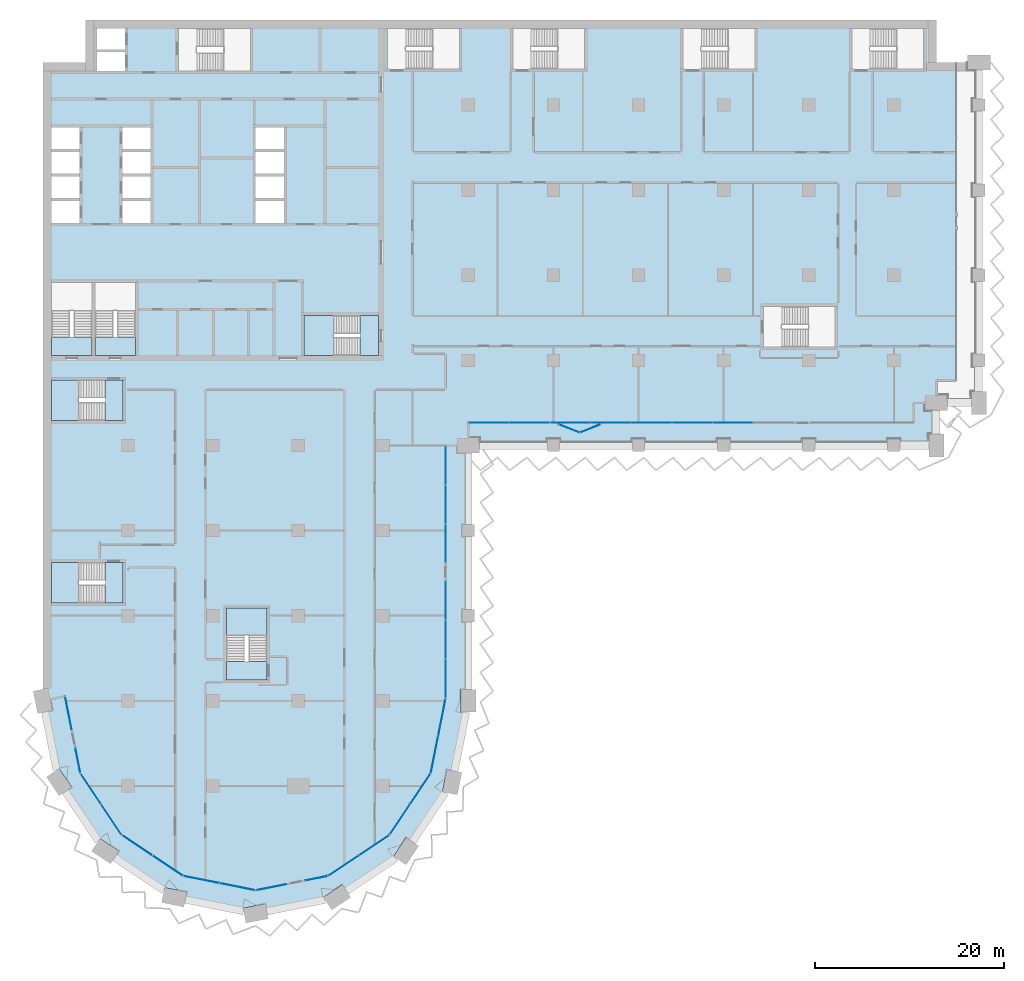
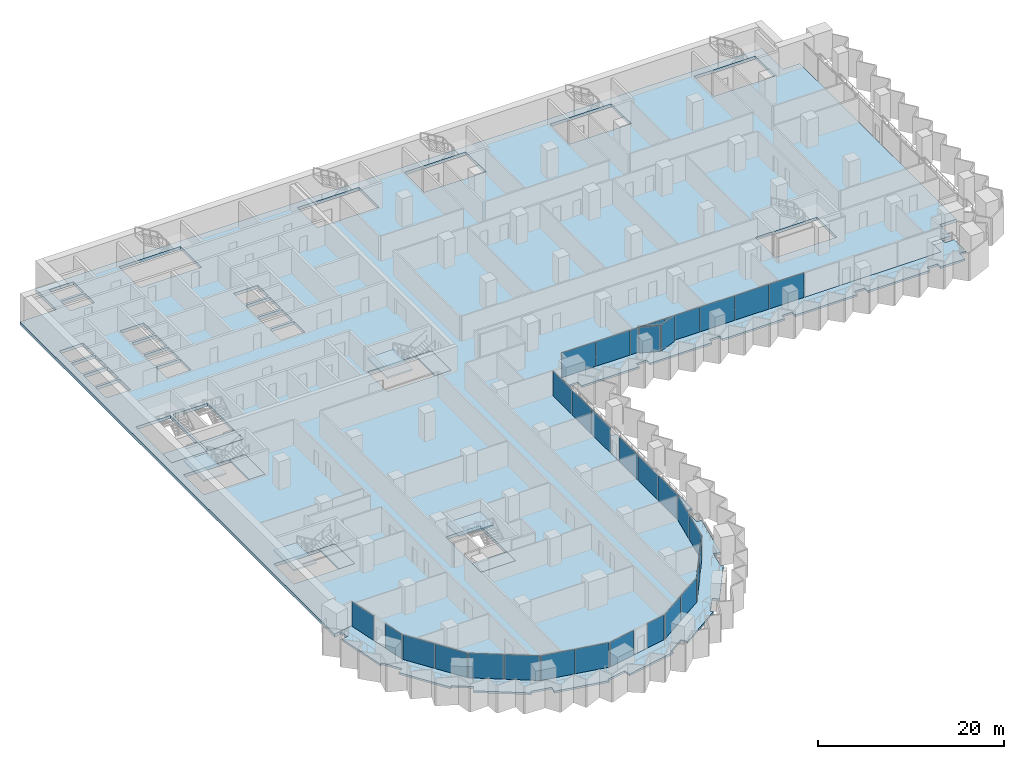
# One storey, part 8 of 28: 31 plates, 13 slabs, 19 elements without a shape of their own.
"""IFC4 building model written with IfcOpenShell, lengths in metres."""

from ifc_helpers import new_model, si_unit, direction, frame, origin, origin_2d, place, context, subcontext, project, spatial, polyline, rectangle, outline, extrude, material, layer, layer_set, type_object, element, aggregate, save


model = new_model("IFC4")

# Units and contexts
model_context = context("Model", 3, precision=1e-05, world=origin(), true_north=direction((0.0, 1.0)))
body_context = subcontext(model_context, "Body", "Model", "MODEL_VIEW")
ifc_project = project(units=[si_unit("LENGTHUNIT", "METRE"), si_unit("AREAUNIT", "SQUARE_METRE"), si_unit("VOLUMEUNIT", "CUBIC_METRE"), si_unit("PLANEANGLEUNIT", "RADIAN"), si_unit("MASSUNIT", "GRAM", prefix="KILO")], contexts=[model_context])

# Site, building, storey
site_placement = place(None, origin())
site = spatial("IfcSite", under=ifc_project, at=site_placement, CompositionType="ELEMENT")
building_placement = place(site_placement, origin())
building = spatial("IfcBuilding", under=site, at=building_placement, Name="Hunhe Ridgeline Campus", CompositionType="ELEMENT")
storey_placement = place(building_placement, frame((0.0, 0.0, 43.199951171875)))
storey = spatial("IfcBuildingStorey", under=building, at=storey_placement, Name="L09", CompositionType="ELEMENT", Elevation=43.199951171875)

# Curtain wall, plate
ifc_material_1 = material(Name="Aluminium 6063", Category="aluminium")
curtain_wall_type_1 = type_object("IfcCurtainWallType", Name="Curtain wall CW-5", PredefinedType="NOTDEFINED", material=ifc_material_1)
curtain_wall_1_placement = place(storey_placement, origin())
curtain_wall_1 = element("IfcCurtainWall", 1, at=curtain_wall_1_placement, inside=storey, type_object=curtain_wall_type_1, Name="Curtain wall 01", PredefinedType="NOTDEFINED")
ifc_material_2 = material(Name="Low-e laminated glass", Category="glass")
ifc_layer_1 = layer(ifc_material_2, 0.028076171875)
ifc_layer_set_1 = layer_set([ifc_layer_1], Name="Curtain wall glass panel 28 low-e laminated")
plate_type = type_object("IfcPlateType", Name="Curtain wall glass panel 28 low-e laminated", PredefinedType="CURTAIN_PANEL", material=ifc_layer_set_1)
plate_1_placement = place(storey_placement, frame((2.7158203125, 25.65380859375, 0.0), z_axis=(0.0, 0.0, 1.0), x_axis=(0.195095326561, -0.980784284924, 0.0)))
plate_1 = element("IfcPlate", 2, at=plate_1_placement, type_object=plate_type, Name="CW-5 panel 1", PredefinedType="CURTAIN_PANEL", context=body_context, shape_type="SweptSolid", body=[
    extrude(rectangle(XDim=3.560791015625, YDim=0.028076171875, at=origin_2d()), origin(), (0.0, 0.0, 1.0), 3.22998046875),
])
aggregate(curtain_wall_1, [plate_1])

curtain_wall_2_placement = place(storey_placement, origin())
curtain_wall_2 = element("IfcCurtainWall", 3, at=curtain_wall_2_placement, inside=storey, type_object=curtain_wall_type_1, Name="Curtain wall 02", PredefinedType="NOTDEFINED")
plate_2_placement = place(storey_placement, frame((3.701171875, 20.699951171875, 0.0), z_axis=(0.0, 0.0, 1.0), x_axis=(0.195095265587, -0.980784297053, 0.0)))
plate_2 = element("IfcPlate", 4, at=plate_2_placement, type_object=plate_type, Name="CW-5 panel 1", PredefinedType="CURTAIN_PANEL", context=body_context, shape_type="SweptSolid", body=[
    extrude(rectangle(XDim=2.660888671875, YDim=0.028076171875, at=origin_2d()), origin(), (0.0, 0.0, 1.0), 3.22998046875),
])
aggregate(curtain_wall_2, [plate_2])

# Curtain wall, plates
curtain_wall_3_placement = place(storey_placement, origin())
curtain_wall_3 = element("IfcCurtainWall", 5, at=curtain_wall_3_placement, inside=storey, type_object=curtain_wall_type_1, Name="Curtain wall 03", PredefinedType="NOTDEFINED")
plate_3_placement = place(storey_placement, frame((5.07080078125, 17.685546875, 0.0), z_axis=(0.0, 0.0, 1.0), x_axis=(0.555570274596, -0.831469584522, 0.0)))
plate_3 = element("IfcPlate", 6, at=plate_3_placement, type_object=plate_type, Name="CW-5 panel 1", PredefinedType="CURTAIN_PANEL", context=body_context, shape_type="SweptSolid", body=[
    extrude(rectangle(XDim=3.806884765625, YDim=0.028076171875, at=origin_2d()), origin(), (0.0, 0.0, 1.0), 3.22998046875),
])
plate_4_placement = place(storey_placement, frame((7.224609375, 14.4619140625, 0.0), z_axis=(0.0, 0.0, 1.0), x_axis=(0.555570274596, -0.831469584522, 0.0)))
plate_4 = element("IfcPlate", 7, at=plate_4_placement, type_object=plate_type, Name="CW-5 panel 2", PredefinedType="CURTAIN_PANEL", context=body_context, shape_type="SweptSolid", body=[
    extrude(rectangle(XDim=3.806884765625, YDim=0.028076171875, at=origin_2d()), origin(), (0.0, 0.0, 1.0), 3.22998046875),
])
aggregate(curtain_wall_3, [plate_3, plate_4])

curtain_wall_4_placement = place(storey_placement, origin())
curtain_wall_4 = element("IfcCurtainWall", 8, at=curtain_wall_4_placement, inside=storey, type_object=curtain_wall_type_1, Name="Curtain wall 04", PredefinedType="NOTDEFINED")
plate_5_placement = place(storey_placement, frame((9.9619140625, 11.724609375, 0.0), z_axis=(0.0, 0.0, 1.0), x_axis=(0.831469584522, -0.555570274596, 0.0)))
plate_5 = element("IfcPlate", 9, at=plate_5_placement, type_object=plate_type, Name="CW-5 panel 1", PredefinedType="CURTAIN_PANEL", context=body_context, shape_type="SweptSolid", body=[
    extrude(rectangle(XDim=3.806884765625, YDim=0.028076171875, at=origin_2d()), origin(), (0.0, 0.0, 1.0), 3.22998046875),
])
plate_6_placement = place(storey_placement, frame((13.185546875, 9.57080078125, 0.0), z_axis=(0.0, 0.0, 1.0), x_axis=(0.831469584522, -0.555570274596, 0.0)))
plate_6 = element("IfcPlate", 10, at=plate_6_placement, type_object=plate_type, Name="CW-5 panel 2", PredefinedType="CURTAIN_PANEL", context=body_context, shape_type="SweptSolid", body=[
    extrude(rectangle(XDim=3.806884765625, YDim=0.028076171875, at=origin_2d()), origin(), (0.0, 0.0, 1.0), 3.22998046875),
])
aggregate(curtain_wall_4, [plate_5, plate_6])

curtain_wall_5_placement = place(storey_placement, origin())
curtain_wall_5 = element("IfcCurtainWall", 11, at=curtain_wall_5_placement, inside=storey, type_object=curtain_wall_type_1, Name="Curtain wall 05", PredefinedType="NOTDEFINED")
plate_7_placement = place(storey_placement, frame((16.761962890625, 8.08935546875, 0.0), z_axis=(0.0, 0.0, 1.0), x_axis=(0.980785275326, -0.195090347539, 0.0)))
plate_7 = element("IfcPlate", 12, at=plate_7_placement, type_object=plate_type, Name="CW-5 panel 1", PredefinedType="CURTAIN_PANEL", context=body_context, shape_type="SweptSolid", body=[
    extrude(rectangle(XDim=3.806884765625, YDim=0.028076171875, at=origin_2d()), origin(), (0.0, 0.0, 1.0), 3.22998046875),
])
plate_8_placement = place(storey_placement, frame((20.564453125, 7.3330078125, 0.0), z_axis=(0.0, 0.0, 1.0), x_axis=(0.980785275326, -0.195090347539, 0.0)))
plate_8 = element("IfcPlate", 13, at=plate_8_placement, type_object=plate_type, Name="CW-5 panel 2", PredefinedType="CURTAIN_PANEL", context=body_context, shape_type="SweptSolid", body=[
    extrude(rectangle(XDim=3.806884765625, YDim=0.028076171875, at=origin_2d()), origin(), (0.0, 0.0, 1.0), 3.22998046875),
])
aggregate(curtain_wall_5, [plate_7, plate_8])

# Curtain wall, plate
curtain_wall_6_placement = place(storey_placement, origin())
curtain_wall_6 = element("IfcCurtainWall", 14, at=curtain_wall_6_placement, inside=storey, type_object=curtain_wall_type_1, Name="Curtain wall 06", PredefinedType="NOTDEFINED")
plate_9_placement = place(storey_placement, frame((24.19775390625, 7.28564453125, 0.0), z_axis=(0.0, 0.0, 1.0), x_axis=(0.980785270791, 0.19509037034, 0.0)))
plate_9 = element("IfcPlate", 15, at=plate_9_placement, type_object=plate_type, Name="CW-5 panel 1", PredefinedType="CURTAIN_PANEL", context=body_context, shape_type="SweptSolid", body=[
    extrude(rectangle(XDim=3.322021484375, YDim=0.028076171875, at=origin_2d()), origin(), (0.0, 0.0, 1.0), 3.22998046875),
])
aggregate(curtain_wall_6, [plate_9])

curtain_wall_7_placement = place(storey_placement, origin())
curtain_wall_7 = element("IfcCurtainWall", 16, at=curtain_wall_7_placement, inside=storey, type_object=curtain_wall_type_1, Name="Curtain wall 07", PredefinedType="NOTDEFINED")
plate_10_placement = place(storey_placement, frame((28.917236328125, 8.224609375, 0.0), z_axis=(0.0, 0.0, 1.0), x_axis=(0.980785242091, 0.195090514627, 0.0)))
plate_10 = element("IfcPlate", 17, at=plate_10_placement, type_object=plate_type, Name="CW-5 panel 1", PredefinedType="CURTAIN_PANEL", context=body_context, shape_type="SweptSolid", body=[
    extrude(rectangle(XDim=2.421875, YDim=0.028076171875, at=origin_2d()), origin(), (0.0, 0.0, 1.0), 3.22998046875),
])
aggregate(curtain_wall_7, [plate_10])

# Curtain wall, plates
curtain_wall_8_placement = place(storey_placement, origin())
curtain_wall_8 = element("IfcCurtainWall", 18, at=curtain_wall_8_placement, inside=storey, type_object=curtain_wall_type_1, Name="Curtain wall 08", PredefinedType="NOTDEFINED")
plate_11_placement = place(storey_placement, frame((31.814453125, 9.57080078125, 0.0), z_axis=(0.0, 0.0, 1.0), x_axis=(0.831469584522, 0.555570274596, 0.0)))
plate_11 = element("IfcPlate", 19, at=plate_11_placement, type_object=plate_type, Name="CW-5 panel 1", PredefinedType="CURTAIN_PANEL", context=body_context, shape_type="SweptSolid", body=[
    extrude(rectangle(XDim=3.806884765625, YDim=0.028076171875, at=origin_2d()), origin(), (0.0, 0.0, 1.0), 3.22998046875),
])
plate_12_placement = place(storey_placement, frame((35.0380859375, 11.724609375, 0.0), z_axis=(0.0, 0.0, 1.0), x_axis=(0.831469584522, 0.555570274596, 0.0)))
plate_12 = element("IfcPlate", 20, at=plate_12_placement, type_object=plate_type, Name="CW-5 panel 2", PredefinedType="CURTAIN_PANEL", context=body_context, shape_type="SweptSolid", body=[
    extrude(rectangle(XDim=3.806884765625, YDim=0.028076171875, at=origin_2d()), origin(), (0.0, 0.0, 1.0), 3.22998046875),
])
aggregate(curtain_wall_8, [plate_11, plate_12])

curtain_wall_9_placement = place(storey_placement, origin())
curtain_wall_9 = element("IfcCurtainWall", 21, at=curtain_wall_9_placement, inside=storey, type_object=curtain_wall_type_1, Name="Curtain wall 09", PredefinedType="NOTDEFINED")
plate_13_placement = place(storey_placement, frame((37.775390625, 14.4619140625, 0.0), z_axis=(0.0, 0.0, 1.0), x_axis=(0.555570274596, 0.831469584522, 0.0)))
plate_13 = element("IfcPlate", 22, at=plate_13_placement, type_object=plate_type, Name="CW-5 panel 1", PredefinedType="CURTAIN_PANEL", context=body_context, shape_type="SweptSolid", body=[
    extrude(rectangle(XDim=3.806884765625, YDim=0.028076171875, at=origin_2d()), origin(), (0.0, 0.0, 1.0), 3.22998046875),
])
plate_14_placement = place(storey_placement, frame((39.92919921875, 17.685546875, 0.0), z_axis=(0.0, 0.0, 1.0), x_axis=(0.555570274596, 0.831469584522, 0.0)))
plate_14 = element("IfcPlate", 23, at=plate_14_placement, type_object=plate_type, Name="CW-5 panel 2", PredefinedType="CURTAIN_PANEL", context=body_context, shape_type="SweptSolid", body=[
    extrude(rectangle(XDim=3.806884765625, YDim=0.028076171875, at=origin_2d()), origin(), (0.0, 0.0, 1.0), 3.22998046875),
])
aggregate(curtain_wall_9, [plate_13, plate_14])

curtain_wall_10_placement = place(storey_placement, origin())
curtain_wall_10 = element("IfcCurtainWall", 24, at=curtain_wall_10_placement, inside=storey, type_object=curtain_wall_type_1, Name="Curtain wall 10", PredefinedType="NOTDEFINED")
plate_15_placement = place(storey_placement, frame((41.42236328125, 21.321044921875, 0.0), z_axis=(0.0, 0.0, 1.0), x_axis=(0.195090299215, 0.980785284939, 0.0)))
plate_15 = element("IfcPlate", 25, at=plate_15_placement, type_object=plate_type, Name="CW-5 panel 1", PredefinedType="CURTAIN_PANEL", context=body_context, shape_type="SweptSolid", body=[
    extrude(rectangle(XDim=3.927490234375, YDim=0.028076171875, at=origin_2d()), origin(), (0.0, 0.0, 1.0), 3.22998046875),
])
plate_16_placement = place(storey_placement, frame((42.2021484375, 25.24169921875, 0.0), z_axis=(0.0, 0.0, 1.0), x_axis=(0.195090299215, 0.980785284939, 0.0)))
plate_16 = element("IfcPlate", 26, at=plate_16_placement, type_object=plate_type, Name="CW-5 panel 2", PredefinedType="CURTAIN_PANEL", context=body_context, shape_type="SweptSolid", body=[
    extrude(rectangle(XDim=3.927490234375, YDim=0.028076171875, at=origin_2d()), origin(), (0.0, 0.0, 1.0), 3.22998046875),
])
aggregate(curtain_wall_10, [plate_15, plate_16])

curtain_wall_type_2 = type_object("IfcCurtainWallType", Name="Curtain wall CW-1", PredefinedType="NOTDEFINED", material=ifc_material_1)
curtain_wall_11_placement = place(storey_placement, origin())
curtain_wall_11 = element("IfcCurtainWall", 27, at=curtain_wall_11_placement, inside=storey, type_object=curtain_wall_type_2, Name="Curtain wall 11", PredefinedType="NOTDEFINED")
plate_17_placement = place(storey_placement, frame((42.59912109375, 29.331787109375, 0.0), z_axis=(0.0, 0.0, 1.0), x_axis=(1.60239e-07, 1.0, 0.0)))
plate_17 = element("IfcPlate", 28, at=plate_17_placement, type_object=plate_type, Name="CW-1 panel 1", PredefinedType="CURTAIN_PANEL", context=body_context, shape_type="SweptSolid", body=[
    extrude(rectangle(XDim=4.070556640625, YDim=0.028076171875, at=origin_2d()), origin(), (0.0, 0.0, 1.0), 3.239990234375),
])
plate_18_placement = place(storey_placement, frame((42.59912109375, 33.477294921875, 0.0), z_axis=(0.0, 0.0, 1.0), x_axis=(1.60239e-07, 1.0, 0.0)))
plate_18 = element("IfcPlate", 29, at=plate_18_placement, type_object=plate_type, Name="CW-1 panel 2", PredefinedType="CURTAIN_PANEL", context=body_context, shape_type="SweptSolid", body=[
    extrude(rectangle(XDim=4.1005859375, YDim=0.028076171875, at=origin_2d()), origin(), (0.0, 0.0, 1.0), 3.239990234375),
])
plate_19_placement = place(storey_placement, frame((42.59912109375, 37.623046875, 0.0), z_axis=(0.0, 0.0, 1.0), x_axis=(1.60239e-07, 1.0, 0.0)))
plate_19 = element("IfcPlate", 30, at=plate_19_placement, type_object=plate_type, Name="CW-1 panel 3", PredefinedType="CURTAIN_PANEL", context=body_context, shape_type="SweptSolid", body=[
    extrude(rectangle(XDim=4.070556640625, YDim=0.028076171875, at=origin_2d()), origin(), (0.0, 0.0, 1.0), 3.239990234375),
])
aggregate(curtain_wall_11, [plate_17, plate_18, plate_19])

curtain_wall_12_placement = place(storey_placement, origin())
curtain_wall_12 = element("IfcCurtainWall", 31, at=curtain_wall_12_placement, inside=storey, type_object=curtain_wall_type_2, Name="Curtain wall 12", PredefinedType="NOTDEFINED")
plate_20_placement = place(storey_placement, frame((42.59912109375, 43.613525390625, 0.0), z_axis=(0.0, 0.0, 1.0), x_axis=(1.60239e-07, 1.0, 0.0)))
plate_20 = element("IfcPlate", 32, at=plate_20_placement, type_object=plate_type, Name="CW-1 panel 1", PredefinedType="CURTAIN_PANEL", context=body_context, shape_type="SweptSolid", body=[
    extrude(rectangle(XDim=4.070556640625, YDim=0.028076171875, at=origin_2d()), origin(), (0.0, 0.0, 1.0), 3.239990234375),
])
plate_21_placement = place(storey_placement, frame((42.59912109375, 47.75927734375, 0.0), z_axis=(0.0, 0.0, 1.0), x_axis=(1.60239e-07, 1.0, 0.0)))
plate_21 = element("IfcPlate", 33, at=plate_21_placement, type_object=plate_type, Name="CW-1 panel 2", PredefinedType="CURTAIN_PANEL", context=body_context, shape_type="SweptSolid", body=[
    extrude(rectangle(XDim=4.1005859375, YDim=0.028076171875, at=origin_2d()), origin(), (0.0, 0.0, 1.0), 3.239990234375),
])
plate_22_placement = place(storey_placement, frame((42.59912109375, 51.90478515625, 0.0), z_axis=(0.0, 0.0, 1.0), x_axis=(1.60239e-07, 1.0, 0.0)))
plate_22 = element("IfcPlate", 34, at=plate_22_placement, type_object=plate_type, Name="CW-1 panel 3", PredefinedType="CURTAIN_PANEL", context=body_context, shape_type="SweptSolid", body=[
    extrude(rectangle(XDim=4.070556640625, YDim=0.028076171875, at=origin_2d()), origin(), (0.0, 0.0, 1.0), 3.239990234375),
])
aggregate(curtain_wall_12, [plate_20, plate_21, plate_22])

curtain_wall_13_placement = place(storey_placement, origin())
curtain_wall_13 = element("IfcCurtainWall", 35, at=curtain_wall_13_placement, inside=storey, type_object=curtain_wall_type_2, Name="Curtain wall 13", PredefinedType="NOTDEFINED")
plate_23_placement = place(storey_placement, frame((47.166015625, 56.40087890625, 0.0), z_axis=(0.0, 0.0, 1.0), x_axis=(0.999999999994, 3.602063e-06, 0.0)))
plate_23 = element("IfcPlate", 36, at=plate_23_placement, type_object=plate_type, Name="CW-1 panel 1", PredefinedType="CURTAIN_PANEL", context=body_context, shape_type="SweptSolid", body=[
    extrude(rectangle(XDim=4.213134765625, YDim=0.028076171875, at=origin_2d()), origin(), (0.0, 0.0, 1.0), 3.239990234375),
])
plate_24_placement = place(storey_placement, frame((51.4541015625, 56.40087890625, 0.0), z_axis=(0.0, 0.0, 1.0), x_axis=(0.999999999994, 3.602063e-06, 0.0)))
plate_24 = element("IfcPlate", 37, at=plate_24_placement, type_object=plate_type, Name="CW-1 panel 2", PredefinedType="CURTAIN_PANEL", context=body_context, shape_type="SweptSolid", body=[
    extrude(rectangle(XDim=4.2431640625, YDim=0.028076171875, at=origin_2d()), origin(), (0.0, 0.0, 1.0), 3.239990234375),
])
plate_25_placement = place(storey_placement, frame((55.757080078125, 56.40087890625, 0.0), z_axis=(0.0, 0.0, 1.0), x_axis=(0.999999999994, 3.602063e-06, 0.0)))
plate_25 = element("IfcPlate", 38, at=plate_25_placement, type_object=plate_type, Name="CW-1 panel 3", PredefinedType="CURTAIN_PANEL", context=body_context, shape_type="SweptSolid", body=[
    extrude(rectangle(XDim=4.2431640625, YDim=0.028076171875, at=origin_2d()), origin(), (0.0, 0.0, 1.0), 3.239990234375),
])
plate_26_placement = place(storey_placement, frame((60.060302734375, 56.40087890625, 0.0), z_axis=(0.0, 0.0, 1.0), x_axis=(0.999999999994, 3.602063e-06, 0.0)))
plate_26 = element("IfcPlate", 39, at=plate_26_placement, type_object=plate_type, Name="CW-1 panel 4", PredefinedType="CURTAIN_PANEL", context=body_context, shape_type="SweptSolid", body=[
    extrude(rectangle(XDim=4.2431640625, YDim=0.028076171875, at=origin_2d()), origin(), (0.0, 0.0, 1.0), 3.239990234375),
])
plate_27_placement = place(storey_placement, frame((64.36328125, 56.40087890625, 0.0), z_axis=(0.0, 0.0, 1.0), x_axis=(0.999999999994, 3.602063e-06, 0.0)))
plate_27 = element("IfcPlate", 40, at=plate_27_placement, type_object=plate_type, Name="CW-1 panel 5", PredefinedType="CURTAIN_PANEL", context=body_context, shape_type="SweptSolid", body=[
    extrude(rectangle(XDim=4.2431640625, YDim=0.028076171875, at=origin_2d()), origin(), (0.0, 0.0, 1.0), 3.239990234375),
])
plate_28_placement = place(storey_placement, frame((68.66650390625, 56.40087890625, 0.0), z_axis=(0.0, 0.0, 1.0), x_axis=(0.999999999994, 3.602063e-06, 0.0)))
plate_28 = element("IfcPlate", 41, at=plate_28_placement, type_object=plate_type, Name="CW-1 panel 6", PredefinedType="CURTAIN_PANEL", context=body_context, shape_type="SweptSolid", body=[
    extrude(rectangle(XDim=4.2431640625, YDim=0.028076171875, at=origin_2d()), origin(), (0.0, 0.0, 1.0), 3.239990234375),
])
plate_29_placement = place(storey_placement, frame((72.969482421875, 56.40087890625, 0.0), z_axis=(0.0, 0.0, 1.0), x_axis=(0.999999999994, 3.602063e-06, 0.0)))
plate_29 = element("IfcPlate", 42, at=plate_29_placement, type_object=plate_type, Name="CW-1 panel 7", PredefinedType="CURTAIN_PANEL", context=body_context, shape_type="SweptSolid", body=[
    extrude(rectangle(XDim=4.2431640625, YDim=0.028076171875, at=origin_2d()), origin(), (0.0, 0.0, 1.0), 3.239990234375),
])
aggregate(curtain_wall_13, [plate_23, plate_24, plate_25, plate_26, plate_27, plate_28, plate_29])

# Curtain wall, plate
curtain_wall_type_3 = type_object("IfcCurtainWallType", Name="Curtain wall CW-2", PredefinedType="NOTDEFINED", material=ifc_material_1)
curtain_wall_14_placement = place(storey_placement, origin())
curtain_wall_14 = element("IfcCurtainWall", 43, at=curtain_wall_14_placement, inside=storey, type_object=curtain_wall_type_3, Name="Curtain wall B01a", PredefinedType="NOTDEFINED")
plate_30_placement = place(storey_placement, frame((55.6494140625, 55.80078125, 0.0), z_axis=(0.0, 0.0, 1.0), x_axis=(0.928477999997, -0.371387403557, 0.0)))
plate_30 = element("IfcPlate", 44, at=plate_30_placement, type_object=plate_type, Name="CW-2 panel 1", PredefinedType="CURTAIN_PANEL", context=body_context, shape_type="SweptSolid", body=[
    extrude(rectangle(XDim=2.30322265625, YDim=0.028076171875, at=origin_2d()), origin(), (0.0, 0.0, 1.0), 3.389892578125),
])
aggregate(curtain_wall_14, [plate_30])

curtain_wall_15_placement = place(storey_placement, origin())
curtain_wall_15 = element("IfcCurtainWall", 45, at=curtain_wall_15_placement, inside=storey, type_object=curtain_wall_type_3, Name="Curtain wall B01b", PredefinedType="NOTDEFINED")
plate_31_placement = place(storey_placement, frame((57.8994140625, 55.80078125, 0.0), z_axis=(0.0, 0.0, 1.0), x_axis=(0.928475381766, 0.371393949135, 0.0)))
plate_31 = element("IfcPlate", 46, at=plate_31_placement, type_object=plate_type, Name="CW-2 panel 1", PredefinedType="CURTAIN_PANEL", context=body_context, shape_type="SweptSolid", body=[
    extrude(rectangle(XDim=2.30322265625, YDim=0.028076171875, at=origin_2d()), origin(), (0.0, 0.0, 1.0), 3.389892578125),
])
aggregate(curtain_wall_15, [plate_31])

# Slabs
ifc_material_3 = material(Name="Concrete C40", Category="concrete")
ifc_layer_2 = layer(ifc_material_3, 0.39990234375)
ifc_layer_set_2 = layer_set([ifc_layer_2], Name="Floor slab 400 Concrete C40")
slab_type_1 = type_object("IfcSlabType", Name="Floor slab 400 Concrete C40", PredefinedType="FLOOR", material=ifc_layer_set_2)
slab_1_placement = place(storey_placement, frame((0.0, 0.0, -0.39990234375)))
element("IfcSlab", 47, at=slab_1_placement, inside=storey, type_object=slab_type_1, Name="Floor slab L09 1", PredefinedType="FLOOR", context=body_context, shape_type="SweptSolid", body=[
    extrude(outline(polyline([(4.5, 94.5), (0.0, 94.5), (0.0, 27.0009765625), (2.354736328125, 27.46875), (3.974365234375, 19.326416015625), (8.321044921875, 12.821044921875), (14.826416015625, 8.474365234375), (22.5, 6.947998046875), (30.173583984375, 8.474365234375), (36.678955078125, 12.821044921875), (41.025634765625, 19.326416015625), (42.59912109375, 27.236572265625), (42.59912109375, 54.0), (44.9990234375, 54.0009765625), (44.99951171875, 56.40087890625), (92.09912109375, 56.40087890625), (92.099365234375, 58.500732421875), (94.4990234375, 58.5009765625), (94.499267578125, 60.900634765625), (96.59912109375, 60.90087890625), (96.59912109375, 94.5), (94.5, 94.5), (94.5, 99.0), (4.5, 99.0), (4.5, 94.5)]), holes=[polyline([(93.14990234375, 93.800048828125), (93.14990234375, 98.10009765625), (85.550048828125, 98.10009765625), (85.550048828125, 93.800048828125), (93.14990234375, 93.800048828125)]), polyline([(76.199951171875, 68.699951171875), (76.199951171875, 64.39990234375), (83.800048828125, 64.39990234375), (83.800048828125, 68.699951171875), (76.199951171875, 68.699951171875)]), polyline([(75.300048828125, 98.10009765625), (67.699951171875, 98.10009765625), (67.699951171875, 93.800048828125), (75.300048828125, 93.800048828125), (75.300048828125, 98.10009765625)]), polyline([(49.699951171875, 98.10009765625), (49.699951171875, 93.800048828125), (57.300048828125, 93.800048828125), (57.300048828125, 98.10009765625), (49.699951171875, 98.10009765625)]), polyline([(36.449951171875, 93.800048828125), (44.050048828125, 93.800048828125), (44.050048828125, 98.10009765625), (36.449951171875, 98.10009765625), (36.449951171875, 93.800048828125)]), polyline([(35.5, 63.5), (35.5, 67.75), (27.60009765625, 67.75), (27.60009765625, 63.5), (35.5, 63.5)]), polyline([(25.5, 80.14990234375), (25.5, 82.449951171875), (22.5, 82.449951171875), (22.5, 80.14990234375), (25.5, 80.14990234375)]), polyline([(25.5, 79.85009765625), (22.5, 79.85009765625), (22.5, 77.550048828125), (25.5, 77.550048828125), (25.5, 79.85009765625)]), polyline([(22.5, 87.64990234375), (22.5, 85.35009765625), (25.5, 85.35009765625), (25.5, 87.64990234375), (22.5, 87.64990234375)]), polyline([(22.5, 82.75), (25.5, 82.75), (25.5, 85.050048828125), (22.5, 85.050048828125), (22.5, 82.75)]), polyline([(23.699951171875, 29.199951171875), (23.699951171875, 36.800048828125), (19.39990234375, 36.800048828125), (19.39990234375, 29.199951171875), (23.699951171875, 29.199951171875)]), polyline([(14.35009765625, 93.60009765625), (21.949951171875, 93.60009765625), (21.949951171875, 98.10009765625), (14.35009765625, 98.10009765625), (14.35009765625, 93.60009765625)]), polyline([(11.39990234375, 79.85009765625), (8.39990234375, 79.85009765625), (8.39990234375, 77.550048828125), (11.39990234375, 77.550048828125), (11.39990234375, 79.85009765625)]), polyline([(11.39990234375, 80.14990234375), (11.39990234375, 82.449951171875), (8.39990234375, 82.449951171875), (8.39990234375, 80.14990234375), (11.39990234375, 80.14990234375)]), polyline([(8.39990234375, 87.64990234375), (8.39990234375, 85.35009765625), (11.39990234375, 85.35009765625), (11.39990234375, 87.64990234375), (8.39990234375, 87.64990234375)]), polyline([(8.39990234375, 82.75), (11.39990234375, 82.75), (11.39990234375, 85.050048828125), (8.39990234375, 85.050048828125), (8.39990234375, 82.75)]), polyline([(9.800048828125, 71.25), (5.5, 71.25), (5.5, 63.5), (9.800048828125, 63.5), (9.800048828125, 71.25)]), polyline([(8.699951171875, 95.89990234375), (8.699951171875, 98.10009765625), (5.699951171875, 98.10009765625), (5.699951171875, 95.89990234375), (8.699951171875, 95.89990234375)]), polyline([(8.699951171875, 95.60009765625), (5.699951171875, 95.60009765625), (5.699951171875, 93.60009765625), (8.699951171875, 93.60009765625), (8.699951171875, 95.60009765625)]), polyline([(0.89990234375, 37.35009765625), (8.5, 37.35009765625), (8.5, 41.64990234375), (0.89990234375, 41.64990234375), (0.89990234375, 37.35009765625)]), polyline([(0.89990234375, 60.949951171875), (0.89990234375, 56.64990234375), (8.5, 56.64990234375), (8.5, 60.949951171875), (0.89990234375, 60.949951171875)]), polyline([(0.89990234375, 71.25), (0.89990234375, 63.5), (5.199951171875, 63.5), (5.199951171875, 71.25), (0.89990234375, 71.25)]), polyline([(3.89990234375, 80.14990234375), (3.89990234375, 82.449951171875), (0.89990234375, 82.449951171875), (0.89990234375, 80.14990234375), (3.89990234375, 80.14990234375)]), polyline([(3.89990234375, 79.85009765625), (0.89990234375, 79.85009765625), (0.89990234375, 77.550048828125), (3.89990234375, 77.550048828125), (3.89990234375, 79.85009765625)]), polyline([(0.89990234375, 87.64990234375), (0.89990234375, 85.35009765625), (3.89990234375, 85.35009765625), (3.89990234375, 87.64990234375), (0.89990234375, 87.64990234375)]), polyline([(0.89990234375, 82.75), (3.89990234375, 82.75), (3.89990234375, 85.050048828125), (0.89990234375, 85.050048828125), (0.89990234375, 82.75)])]), origin(), (0.0, 0.0, 1.0), 0.39990234375),
])
ifc_layer_3 = layer(ifc_material_3, 0.25)
ifc_layer_set_3 = layer_set([ifc_layer_3], Name="Loggia slab 250 Concrete C40")
slab_type_2 = type_object("IfcSlabType", Name="Loggia slab 250 Concrete C40", PredefinedType="FLOOR", material=ifc_layer_set_3)
slab_2_placement = place(storey_placement, frame((0.0, 0.0, -0.25)))
element("IfcSlab", 48, at=slab_2_placement, inside=storey, type_object=slab_type_2, Name="Loggia slab 1", PredefinedType="FLOOR", context=body_context, shape_type="SweptSolid", body=[
    extrude(outline(polyline([(30.173828125, 8.473388671875), (22.5, 6.947021484375), (14.826171875, 8.473388671875), (8.3203125, 12.8203125), (3.973388671875, 19.326171875), (2.35400390625, 27.46826171875), (0.78466796875, 27.156005859375), (1.018798828125, 25.979248046875), (0.234130859375, 25.822998046875), (1.459228515625, 19.66357421875), (1.711181640625, 19.831787109375), (3.044677734375, 17.83642578125), (2.37939453125, 17.391845703125), (5.868408203125, 12.170166015625), (6.036865234375, 12.421875), (8.0322265625, 11.088623046875), (7.587890625, 10.42333984375), (12.8095703125, 6.934326171875), (12.86865234375, 7.2314453125), (15.22265625, 6.76318359375), (15.066650390625, 5.978515625), (21.22607421875, 4.75341796875), (21.1669921875, 5.050537109375), (23.520751953125, 5.518798828125), (23.677001953125, 4.734130859375), (29.83642578125, 5.959228515625), (29.668212890625, 6.211181640625), (31.66357421875, 7.544677734375), (32.108154296875, 6.87939453125), (37.329833984375, 10.368408203125), (37.078125, 10.536865234375), (38.411376953125, 12.5322265625), (39.07666015625, 12.087890625), (42.565673828125, 17.3095703125), (42.2685546875, 17.36865234375), (42.73681640625, 19.72265625), (43.521484375, 19.566650390625), (44.76123046875, 25.800048828125), (44.199951171875, 25.800048828125), (44.199951171875, 28.199951171875), (45.0, 28.199951171875), (45.0, 35.35009765625), (44.35009765625, 35.35009765625), (44.35009765625, 36.64990234375), (45.0, 36.64990234375), (45.0, 44.35009765625), (44.35009765625, 44.35009765625), (44.35009765625, 45.64990234375), (45.0, 45.64990234375), (45.0, 53.199951171875), (43.800048828125, 53.199951171875), (43.800048828125, 54.0), (42.60009765625, 54.0), (42.60009765625, 27.236328125), (41.026611328125, 19.326171875), (36.6796875, 12.8203125), (30.173828125, 8.473388671875)])), origin(), (0.0, 0.0, 1.0), 0.25),
])
slab_3_placement = place(storey_placement, frame((0.0, 0.0, -0.25)))
element("IfcSlab", 49, at=slab_3_placement, inside=storey, type_object=slab_type_2, Name="Loggia slab 2", PredefinedType="FLOOR", context=body_context, shape_type="SweptSolid", body=[
    extrude(outline(polyline([(45.0, 54.800048828125), (46.199951171875, 54.800048828125), (46.199951171875, 54.0), (53.35009765625, 54.0), (53.35009765625, 54.64990234375), (54.64990234375, 54.64990234375), (54.64990234375, 54.0), (62.35009765625, 54.0), (62.35009765625, 54.64990234375), (63.64990234375, 54.64990234375), (63.64990234375, 54.0), (71.35009765625, 54.0), (71.35009765625, 54.64990234375), (72.64990234375, 54.64990234375), (72.64990234375, 54.0), (80.35009765625, 54.0), (80.35009765625, 54.64990234375), (81.64990234375, 54.64990234375), (81.64990234375, 54.0), (89.35009765625, 54.0), (89.35009765625, 54.64990234375), (90.64990234375, 54.64990234375), (90.64990234375, 54.0), (93.699951171875, 54.0), (93.699951171875, 55.199951171875), (94.5, 55.199951171875), (94.5, 57.699951171875), (93.300048828125, 57.699951171875), (93.300048828125, 58.5), (92.10009765625, 58.5), (92.10009765625, 56.39990234375), (45.0, 56.39990234375), (45.0, 54.800048828125)])), origin(), (0.0, 0.0, 1.0), 0.25),
])

# Stair, slab
stair_type = type_object("IfcStairType", Name="Reinforced concrete dog-leg stair 1950 Concrete C40", PredefinedType="HALF_TURN_STAIR", material=ifc_material_3)
stair_1_placement = place(storey_placement, origin())
stair_1 = element("IfcStair", 50, at=stair_1_placement, inside=storey, type_object=stair_type, Name="L09 S2", PredefinedType="HALF_TURN_STAIR")
ifc_layer_4 = layer(ifc_material_3, 0.199951171875)
ifc_layer_set_4 = layer_set([ifc_layer_4], Name="Reinforced concrete stair landing 200 Concrete C40")
slab_type_3 = type_object("IfcSlabType", Name="Reinforced concrete stair landing 200 Concrete C40", PredefinedType="LANDING", material=ifc_layer_set_4)
slab_4_placement = place(storey_placement, frame((0.0, 0.0, 1.650146484375)))
slab_4 = element("IfcSlab", 51, at=slab_4_placement, type_object=slab_type_3, Name="ST2 landing 1", PredefinedType="LANDING", context=body_context, shape_type="SweptSolid", body=[
    extrude(outline(polyline([(30.75, 67.75), (27.60009765625, 67.75), (27.60009765625, 63.5), (30.75, 63.5), (30.75, 67.75)])), origin(), (0.0, 0.0, 1.0), 0.199951171875),
])
aggregate(stair_1, [slab_4])

# Slabs
slab_5_placement = place(storey_placement, frame((0.0, 0.0, -0.199951171875)))
element("IfcSlab", 52, at=slab_5_placement, inside=storey, type_object=slab_type_3, Name="L09 stair S2 floor landing", PredefinedType="LANDING", context=body_context, shape_type="SweptSolid", body=[
    extrude(outline(polyline([(35.5, 67.75), (33.550048828125, 67.75), (33.550048828125, 63.5), (35.5, 63.5), (35.5, 67.75)])), origin(), (0.0, 0.0, 1.0), 0.199951171875),
])
slab_6_placement = place(storey_placement, frame((0.0, 0.0, -0.199951171875)))
element("IfcSlab", 53, at=slab_6_placement, inside=storey, type_object=slab_type_3, Name="L09 stair S3 floor landing", PredefinedType="LANDING", context=body_context, shape_type="SweptSolid", body=[
    extrude(outline(polyline([(5.199951171875, 63.5), (5.199951171875, 65.449951171875), (0.89990234375, 65.449951171875), (0.89990234375, 63.5), (5.199951171875, 63.5)])), origin(), (0.0, 0.0, 1.0), 0.199951171875),
])
slab_7_placement = place(storey_placement, frame((0.0, 0.0, -0.199951171875)))
element("IfcSlab", 54, at=slab_7_placement, inside=storey, type_object=slab_type_3, Name="L09 stair S4 floor landing", PredefinedType="LANDING", context=body_context, shape_type="SweptSolid", body=[
    extrude(outline(polyline([(9.800048828125, 63.5), (9.800048828125, 65.449951171875), (5.5, 65.449951171875), (5.5, 63.5), (9.800048828125, 63.5)])), origin(), (0.0, 0.0, 1.0), 0.199951171875),
])

# Stair, slab
stair_2_placement = place(storey_placement, origin())
stair_2 = element("IfcStair", 55, at=stair_2_placement, inside=storey, type_object=stair_type, Name="L09 W3", PredefinedType="HALF_TURN_STAIR")
slab_8_placement = place(storey_placement, frame((0.0, 0.0, 1.650146484375)))
slab_8 = element("IfcSlab", 56, at=slab_8_placement, type_object=slab_type_3, Name="ST9 landing 1", PredefinedType="LANDING", context=body_context, shape_type="SweptSolid", body=[
    extrude(outline(polyline([(23.699951171875, 33.949951171875), (23.699951171875, 36.800048828125), (19.39990234375, 36.800048828125), (19.39990234375, 33.949951171875), (23.699951171875, 33.949951171875)])), origin(), (0.0, 0.0, 1.0), 0.199951171875),
])
aggregate(stair_2, [slab_8])

# Slab
slab_9_placement = place(storey_placement, frame((0.0, 0.0, -0.199951171875)))
element("IfcSlab", 57, at=slab_9_placement, inside=storey, type_object=slab_type_3, Name="L09 stair W3 floor landing", PredefinedType="LANDING", context=body_context, shape_type="SweptSolid", body=[
    extrude(outline(polyline([(23.699951171875, 29.199951171875), (23.699951171875, 31.14990234375), (19.39990234375, 31.14990234375), (19.39990234375, 29.199951171875), (23.699951171875, 29.199951171875)])), origin(), (0.0, 0.0, 1.0), 0.199951171875),
])

# Stair, slab
stair_3_placement = place(storey_placement, origin())
stair_3 = element("IfcStair", 58, at=stair_3_placement, inside=storey, type_object=stair_type, Name="L09 W1", PredefinedType="HALF_TURN_STAIR")
slab_10_placement = place(storey_placement, frame((0.0, 0.0, 1.650146484375)))
slab_10 = element("IfcSlab", 59, at=slab_10_placement, type_object=slab_type_3, Name="ST11 landing 1", PredefinedType="LANDING", context=body_context, shape_type="SweptSolid", body=[
    extrude(outline(polyline([(3.75, 41.64990234375), (0.89990234375, 41.64990234375), (0.89990234375, 37.35009765625), (3.75, 37.35009765625), (3.75, 41.64990234375)])), origin(), (0.0, 0.0, 1.0), 0.199951171875),
])
aggregate(stair_3, [slab_10])

# Slab
slab_11_placement = place(storey_placement, frame((0.0, 0.0, -0.199951171875)))
element("IfcSlab", 60, at=slab_11_placement, inside=storey, type_object=slab_type_3, Name="L09 stair W1 floor landing", PredefinedType="LANDING", context=body_context, shape_type="SweptSolid", body=[
    extrude(outline(polyline([(8.5, 41.64990234375), (6.550048828125, 41.64990234375), (6.550048828125, 37.35009765625), (8.5, 37.35009765625), (8.5, 41.64990234375)])), origin(), (0.0, 0.0, 1.0), 0.199951171875),
])

# Stair, slab
stair_4_placement = place(storey_placement, origin())
stair_4 = element("IfcStair", 61, at=stair_4_placement, inside=storey, type_object=stair_type, Name="L09 W2", PredefinedType="HALF_TURN_STAIR")
slab_12_placement = place(storey_placement, frame((0.0, 0.0, 1.650146484375)))
slab_12 = element("IfcSlab", 62, at=slab_12_placement, type_object=slab_type_3, Name="ST12 landing 1", PredefinedType="LANDING", context=body_context, shape_type="SweptSolid", body=[
    extrude(outline(polyline([(3.75, 60.949951171875), (0.89990234375, 60.949951171875), (0.89990234375, 56.64990234375), (3.75, 56.64990234375), (3.75, 60.949951171875)])), origin(), (0.0, 0.0, 1.0), 0.199951171875),
])
aggregate(stair_4, [slab_12])

# Slab
slab_13_placement = place(storey_placement, frame((0.0, 0.0, -0.199951171875)))
element("IfcSlab", 63, at=slab_13_placement, inside=storey, type_object=slab_type_3, Name="L09 stair W2 floor landing", PredefinedType="LANDING", context=body_context, shape_type="SweptSolid", body=[
    extrude(outline(polyline([(8.5, 60.949951171875), (6.550048828125, 60.949951171875), (6.550048828125, 56.64990234375), (8.5, 56.64990234375), (8.5, 60.949951171875)])), origin(), (0.0, 0.0, 1.0), 0.199951171875),
])

save(model, "model.ifc")
